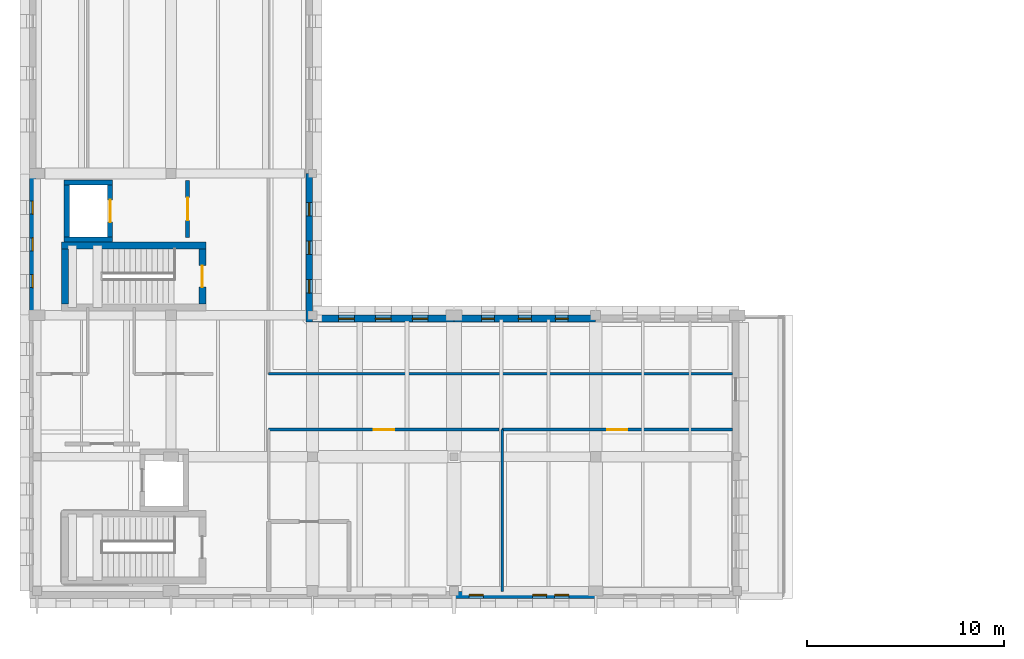
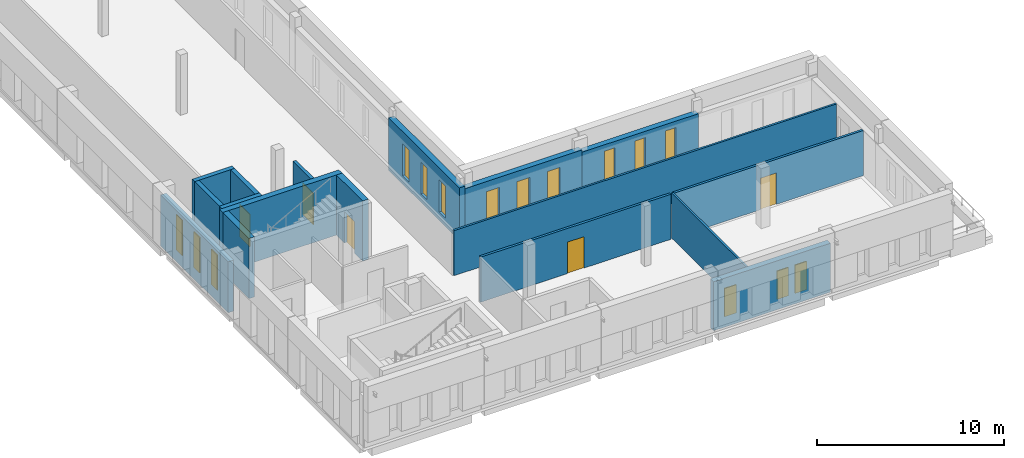
# One storey, part 20 of 34: 17 walls, 15 windows, 5 doors, 20 openings.
"""IFC4 building model written with IfcOpenShell, lengths in metres."""

from ifc_helpers import new_model, si_unit, direction, frame, frame_2d, origin, place, context, subcontext, project, spatial, rectangle, extrude, material, layer, layer_set, type_object, element, fill, save


model = new_model("IFC4")

# Units and contexts
model_context = context("Model", 3, precision=1e-05, world=origin(), true_north=direction((0.0, 1.0)))
body_context = subcontext(model_context, "Body", "Model", "MODEL_VIEW")
ifc_project = project(units=[si_unit("LENGTHUNIT", "METRE"), si_unit("AREAUNIT", "SQUARE_METRE"), si_unit("VOLUMEUNIT", "CUBIC_METRE"), si_unit("PLANEANGLEUNIT", "RADIAN"), si_unit("MASSUNIT", "GRAM", prefix="KILO")], contexts=[model_context])

# Site, building, storey
site_placement = place(None, origin())
site = spatial("IfcSite", under=ifc_project, at=site_placement, CompositionType="ELEMENT")
building_placement = place(site_placement, origin())
building = spatial("IfcBuilding", under=site, at=building_placement, Name="Vardoun Plaza Health Centre", CompositionType="ELEMENT")
storey_placement = place(building_placement, frame((0.0, 0.0, 12.89990234375)))
storey = spatial("IfcBuildingStorey", under=building, at=storey_placement, Name="L03", CompositionType="ELEMENT", Elevation=12.89990234375)

# Walls
ifc_material_1 = material(Name="Concrete C40/50", Category="concrete")
ifc_layer_1 = layer(ifc_material_1, 0.27001953125)
ifc_layer_set_1 = layer_set([ifc_layer_1], Name="Concrete C40/50")
wall_type_1 = type_object("IfcWallType", Name="SW-03", PredefinedType="SHEAR", material=ifc_layer_set_1)
wall_1_placement = place(storey_placement, frame((8.735107421875, 22.75, 0.0), z_axis=(0.0, 0.0, 1.0), x_axis=(-1.0, 0.0, 0.0)))
element("IfcWall", 1, at=wall_1_placement, inside=storey, type_object=wall_type_1, Name="Lift LF-02 L03 Shaft Wall S", PredefinedType="SHEAR", context=body_context, shape_type="SweptSolid", body=[
    extrude(rectangle(XDim=2.47021484375, YDim=0.27001953125, at=frame_2d((1.235107421875, 0.0))), origin(), (0.0, 0.0, 1.0), 3.920166015625),
])
wall_2_placement = place(storey_placement, frame((6.39990234375, 22.885009765625, 0.0), z_axis=(0.0, 0.0, 1.0), x_axis=(0.0, 1.0, 0.0)))
element("IfcWall", 2, at=wall_2_placement, inside=storey, type_object=wall_type_1, Name="Lift LF-02 L03 Shaft Wall W", PredefinedType="SHEAR", context=body_context, shape_type="SweptSolid", body=[
    extrude(rectangle(XDim=2.6298828125, YDim=0.27001953125, at=frame_2d((1.31494140625, 0.0))), origin(), (0.0, 0.0, 1.0), 3.920166015625),
])
wall_3_placement = place(storey_placement, frame((6.264892578125, 25.64990234375, 0.0), z_axis=(0.0, 0.0, 1.0), x_axis=(1.0, 0.0, 0.0)))
element("IfcWall", 3, at=wall_3_placement, inside=storey, type_object=wall_type_1, Name="Lift LF-02 L03 Shaft Wall N", PredefinedType="SHEAR", context=body_context, shape_type="SweptSolid", body=[
    extrude(rectangle(XDim=2.47021484375, YDim=0.27001953125, at=frame_2d((1.235107421875, 0.0))), origin(), (0.0, 0.0, 1.0), 3.920166015625),
])

# Wall, opening, door
wall_4_placement = place(storey_placement, frame((8.60009765625, 25.514892578125, 0.0), z_axis=(0.0, 0.0, 1.0), x_axis=(0.0, -1.0, 0.0)))
wall_4 = element("IfcWall", 4, at=wall_4_placement, inside=storey, type_object=wall_type_1, Name="Lift LF-02 L03 Shaft Wall E", PredefinedType="SHEAR", context=body_context, shape_type="SweptSolid", body=[
    extrude(rectangle(XDim=2.6298828125, YDim=0.27001953125, at=frame_2d((1.31494140625, 0.0))), origin(), (0.0, 0.0, 1.0), 3.920166015625),
])
opening_1_placement = place(wall_4_placement, frame((0.7548828125, 0.0, 0.0)))
opening_1 = element("IfcOpeningElement", 5, at=opening_1_placement, cuts=wall_4, Name="Opening LD-LF-02-L03", PredefinedType="OPENING", context=body_context, shape_type="SweptSolid", body=[
    extrude(rectangle(XDim=1.1201171875, YDim=2.10009765625, at=frame_2d((0.56005859375, 1.050048828125))), frame((0.0, 0.135009765625, 0.0), z_axis=(0.0, -1.0, 0.0), x_axis=(1.0, 0.0, 0.0)), (0.0, 0.0, 1.0), 0.27001953125),
])
ifc_material_2 = material(Name="Brushed Stainless Steel Grade 316L", Category="steel")
door_type_1 = type_object("IfcDoorType", Name="LD-01", OperationType="DOUBLE_DOOR_SLIDING", PredefinedType="DOOR", material=ifc_material_2)
door_1_placement = place(opening_1_placement, origin())
door_1 = element("IfcDoor", 6, at=door_1_placement, inside=storey, type_object=door_type_1, Name="Lift LF-02 L03 Sliding Landing Door", OperationType="DOUBLE_DOOR_SLIDING", OverallHeight=2.10009765625, OverallWidth=1.1201171875, PredefinedType="DOOR", context=body_context, shape_type="SweptSolid", body=[
    extrude(rectangle(XDim=1.1201171875, YDim=2.10009765625, at=frame_2d((0.56005859375, 1.050048828125))), frame((0.0, 0.02490234375, 0.0), z_axis=(0.0, -1.0, 0.0), x_axis=(1.0, 0.0, 0.0)), (0.0, 0.0, 1.0), 0.050048828125),
])
fill(opening_1, door_1)

# Walls
ifc_material_3 = material(Name="Concrete C40/50", Category="concrete")
ifc_layer_2 = layer(ifc_material_3, 0.35009765625)
ifc_layer_set_2 = layer_set([ifc_layer_2], Name="Concrete C40/50")
wall_type_2 = type_object("IfcWallType", Name="SW-02", PredefinedType="SHEAR", material=ifc_layer_set_2)
wall_5_placement = place(storey_placement, frame((6.300048828125, 19.47509765625, 0.0), z_axis=(0.0, 0.0, 1.0), x_axis=(0.0, 1.0, 0.0)))
element("IfcWall", 7, at=wall_5_placement, inside=storey, type_object=wall_type_2, Name="Core C2 L03 Shear Wall W", PredefinedType="SHEAR", context=body_context, shape_type="SweptSolid", body=[
    extrude(rectangle(XDim=2.7998046875, YDim=0.35009765625, at=frame_2d((1.39990234375, 0.0))), origin(), (0.0, 0.0, 1.0), 3.920166015625),
])
wall_6_placement = place(storey_placement, frame((6.125, 22.449951171875, 0.0), z_axis=(0.0, 0.0, 1.0), x_axis=(1.0, 0.0, 0.0)))
element("IfcWall", 8, at=wall_6_placement, inside=storey, type_object=wall_type_2, Name="Core C2 L03 Shear Wall N", PredefinedType="SHEAR", context=body_context, shape_type="SweptSolid", body=[
    extrude(rectangle(XDim=7.35009765625, YDim=0.35009765625, at=frame_2d((3.675048828125, 0.0))), origin(), (0.0, 0.0, 1.0), 3.920166015625),
])

# Wall, opening, door
wall_7_placement = place(storey_placement, frame((13.300048828125, 22.27490234375, 0.0), z_axis=(0.0, 0.0, 1.0), x_axis=(0.0, -1.0, 0.0)))
wall_7 = element("IfcWall", 9, at=wall_7_placement, inside=storey, type_object=wall_type_2, Name="Core C2 L03 Shear Wall E", PredefinedType="SHEAR", context=body_context, shape_type="SweptSolid", body=[
    extrude(rectangle(XDim=2.7998046875, YDim=0.35009765625, at=frame_2d((1.39990234375, 0.0))), origin(), (0.0, 0.0, 1.0), 3.920166015625),
])
opening_2_placement = place(wall_7_placement, frame((0.85009765625, 0.0, 0.0)))
opening_2 = element("IfcOpeningElement", 10, at=opening_2_placement, cuts=wall_7, Name="Opening SD-C2-L03", PredefinedType="OPENING", context=body_context, shape_type="SweptSolid", body=[
    extrude(rectangle(XDim=1.10009765625, YDim=2.050048828125, at=frame_2d((0.550048828125, 1.02490234375))), frame((0.0, 0.175048828125, 0.0), z_axis=(0.0, -1.0, 0.0), x_axis=(1.0, 0.0, 0.0)), (0.0, 0.0, 1.0), 0.35009765625),
])
ifc_material_4 = material(Name="Brushed Stainless Steel Grade 316L", Category="steel")
door_type_2 = type_object("IfcDoorType", Name="FD-01", OperationType="NOTDEFINED", PredefinedType="DOOR", material=ifc_material_4)
door_2_placement = place(opening_2_placement, origin())
door_2 = element("IfcDoor", 11, at=door_2_placement, inside=storey, type_object=door_type_2, Name="Stair C2 L03 Fire Door", OperationType="SINGLE_SWING_LEFT", OverallHeight=2.050048828125, OverallWidth=1.10009765625, PredefinedType="DOOR", context=body_context, shape_type="SweptSolid", body=[
    extrude(rectangle(XDim=1.10009765625, YDim=2.050048828125, at=frame_2d((0.550048828125, 1.02490234375))), frame((0.0, 0.02490234375, 0.0), z_axis=(0.0, -1.0, 0.0), x_axis=(1.0, 0.0, 0.0)), (0.0, 0.0, 1.0), 0.050048828125),
])
fill(opening_2, door_2)

# Wall, openings, windows
ifc_material_5 = material(Name="Pale Limestone Concrete C35/45", Category="masonry")
ifc_layer_3 = layer(ifc_material_5, 0.344970703125)
ifc_layer_set_3 = layer_set([ifc_layer_3], Name="Pale Limestone Concrete C35/45")
wall_type_3 = type_object("IfcWallType", Name="EW-01", PredefinedType="SOLIDWALL", material=ifc_layer_set_3)
wall_8_placement = place(storey_placement, frame((18.7275390625, 26.10009765625, 0.0), z_axis=(0.0, 0.0, 1.0), x_axis=(0.0, -1.0, 0.0)))
wall_8 = element("IfcWall", 12, at=wall_8_placement, inside=storey, type_object=wall_type_3, Name="V2 L03 Exterior Wall EW-V2-160", PredefinedType="SOLIDWALL", context=body_context, shape_type="SweptSolid", body=[
    extrude(rectangle(XDim=7.545166015625, YDim=0.344970703125, at=frame_2d((3.7724609375, 0.0))), origin(), (0.0, 0.0, 1.0), 3.425048828125),
])
opening_3_placement = place(wall_8_placement, frame((1.470703125, 0.0, 0.550048828125)))
opening_3 = element("IfcOpeningElement", 13, at=opening_3_placement, cuts=wall_8, Name="Opening W-22-002", PredefinedType="OPENING", context=body_context, shape_type="SweptSolid", body=[
    extrude(rectangle(XDim=0.679931640625, YDim=2.080078125, at=frame_2d((0.33984375, 1.0400390625))), frame((0.0, 0.17236328125, 0.0), z_axis=(0.0, -1.0, 0.0), x_axis=(1.0, 0.0, 0.0)), (0.0, 0.0, 1.0), 0.344970703125),
])
opening_4_placement = place(wall_8_placement, frame((3.4326171875, 0.0, 0.550048828125)))
opening_4 = element("IfcOpeningElement", 14, at=opening_4_placement, cuts=wall_8, Name="Opening W-22-003", PredefinedType="OPENING", context=body_context, shape_type="SweptSolid", body=[
    extrude(rectangle(XDim=0.679931640625, YDim=2.080078125, at=frame_2d((0.33984375, 1.0400390625))), frame((0.0, 0.17236328125, 0.0), z_axis=(0.0, -1.0, 0.0), x_axis=(1.0, 0.0, 0.0)), (0.0, 0.0, 1.0), 0.344970703125),
])
opening_5_placement = place(wall_8_placement, frame((5.394287109375, 0.0, 0.550048828125)))
opening_5 = element("IfcOpeningElement", 15, at=opening_5_placement, cuts=wall_8, Name="Opening W-22-004", PredefinedType="OPENING", context=body_context, shape_type="SweptSolid", body=[
    extrude(rectangle(XDim=0.679931640625, YDim=2.080078125, at=frame_2d((0.33984375, 1.0400390625))), frame((0.0, 0.17236328125, 0.0), z_axis=(0.0, -1.0, 0.0), x_axis=(1.0, 0.0, 0.0)), (0.0, 0.0, 1.0), 0.344970703125),
])
ifc_material_6 = material(Name="Aluminium Alloy EN AW-6063-T6 and Low-E Glass", Category="aluminium")
window_type_1 = type_object("IfcWindowType", Name="W-22", PartitioningType="SINGLE_PANEL", PredefinedType="WINDOW", material=ifc_material_6)
window_1_placement = place(opening_3_placement, origin())
window_1 = element("IfcWindow", 16, at=window_1_placement, inside=storey, type_object=window_type_1, Name="V2 L03 Deep-Punched Slot Window W-22-191", OverallHeight=2.080078125, OverallWidth=0.679931640625, PartitioningType="SINGLE_PANEL", PredefinedType="WINDOW", context=body_context, shape_type="SweptSolid", body=[
    extrude(rectangle(XDim=0.679931640625, YDim=2.080078125, at=frame_2d((0.33984375, 1.0400390625))), frame((0.0, 0.030029296875, 0.0), z_axis=(0.0, -1.0, 0.0), x_axis=(1.0, 0.0, 0.0)), (0.0, 0.0, 1.0), 0.06005859375),
])
fill(opening_3, window_1)
window_2_placement = place(opening_4_placement, origin())
window_2 = element("IfcWindow", 17, at=window_2_placement, inside=storey, type_object=window_type_1, Name="V2 L03 Deep-Punched Slot Window W-22-192", OverallHeight=2.080078125, OverallWidth=0.679931640625, PartitioningType="SINGLE_PANEL", PredefinedType="WINDOW", context=body_context, shape_type="SweptSolid", body=[
    extrude(rectangle(XDim=0.679931640625, YDim=2.080078125, at=frame_2d((0.33984375, 1.0400390625))), frame((0.0, 0.030029296875, 0.0), z_axis=(0.0, -1.0, 0.0), x_axis=(1.0, 0.0, 0.0)), (0.0, 0.0, 1.0), 0.06005859375),
])
fill(opening_4, window_2)
window_3_placement = place(opening_5_placement, origin())
window_3 = element("IfcWindow", 18, at=window_3_placement, inside=storey, type_object=window_type_1, Name="V2 L03 Deep-Punched Slot Window W-22-193", OverallHeight=2.080078125, OverallWidth=0.679931640625, PartitioningType="SINGLE_PANEL", PredefinedType="WINDOW", context=body_context, shape_type="SweptSolid", body=[
    extrude(rectangle(XDim=0.679931640625, YDim=2.080078125, at=frame_2d((0.33984375, 1.0400390625))), frame((0.0, 0.030029296875, 0.0), z_axis=(0.0, -1.0, 0.0), x_axis=(1.0, 0.0, 0.0)), (0.0, 0.0, 1.0), 0.06005859375),
])
fill(opening_5, window_3)

wall_9_placement = place(storey_placement, frame((18.89990234375, 18.7275390625, 0.0), z_axis=(0.0, 0.0, 1.0), x_axis=(1.0, 0.0, 0.0)))
wall_9 = element("IfcWall", 19, at=wall_9_placement, inside=storey, type_object=wall_type_3, Name="V2 L03 Exterior Wall EW-V2-161", PredefinedType="SOLIDWALL", context=body_context, shape_type="SweptSolid", body=[
    extrude(rectangle(XDim=7.2001953125, YDim=0.344970703125, at=frame_2d((3.60009765625, 0.0))), origin(), (0.0, 0.0, 1.0), 3.255126953125),
])
opening_6_placement = place(wall_9_placement, frame((1.327880859375, 0.0, 0.550048828125)))
opening_6 = element("IfcOpeningElement", 20, at=opening_6_placement, cuts=wall_9, Name="Opening W-24-001", PredefinedType="OPENING", context=body_context, shape_type="SweptSolid", body=[
    extrude(rectangle(XDim=0.800048828125, YDim=2.0400390625, at=frame_2d((0.39990234375, 1.02001953125))), frame((0.0, 0.17236328125, 0.0), z_axis=(0.0, -1.0, 0.0), x_axis=(1.0, 0.0, 0.0)), (0.0, 0.0, 1.0), 0.344970703125),
])
opening_7_placement = place(wall_9_placement, frame((3.199951171875, 0.0, 0.550048828125)))
opening_7 = element("IfcOpeningElement", 21, at=opening_7_placement, cuts=wall_9, Name="Opening W-24-002", PredefinedType="OPENING", context=body_context, shape_type="SweptSolid", body=[
    extrude(rectangle(XDim=0.800048828125, YDim=2.0400390625, at=frame_2d((0.39990234375, 1.02001953125))), frame((0.0, 0.17236328125, 0.0), z_axis=(0.0, -1.0, 0.0), x_axis=(1.0, 0.0, 0.0)), (0.0, 0.0, 1.0), 0.344970703125),
])
opening_8_placement = place(wall_9_placement, frame((5.072021484375, 0.0, 0.550048828125)))
opening_8 = element("IfcOpeningElement", 22, at=opening_8_placement, cuts=wall_9, Name="Opening W-24-003", PredefinedType="OPENING", context=body_context, shape_type="SweptSolid", body=[
    extrude(rectangle(XDim=0.800048828125, YDim=2.0400390625, at=frame_2d((0.39990234375, 1.02001953125))), frame((0.0, 0.17236328125, 0.0), z_axis=(0.0, -1.0, 0.0), x_axis=(1.0, 0.0, 0.0)), (0.0, 0.0, 1.0), 0.344970703125),
])
ifc_material_7 = material(Name="Aluminium Alloy EN AW-6063-T6 and Low-E Glass", Category="aluminium")
window_type_2 = type_object("IfcWindowType", Name="W-24", PartitioningType="SINGLE_PANEL", PredefinedType="WINDOW", material=ifc_material_7)
window_4_placement = place(opening_6_placement, origin())
window_4 = element("IfcWindow", 23, at=window_4_placement, inside=storey, type_object=window_type_2, Name="V2 L03 Deep-Punched Slot Window W-24-194", OverallHeight=2.0400390625, OverallWidth=0.800048828125, PartitioningType="SINGLE_PANEL", PredefinedType="WINDOW", context=body_context, shape_type="SweptSolid", body=[
    extrude(rectangle(XDim=0.800048828125, YDim=2.0400390625, at=frame_2d((0.39990234375, 1.02001953125))), frame((0.0, 0.030029296875, 0.0), z_axis=(0.0, -1.0, 0.0), x_axis=(1.0, 0.0, 0.0)), (0.0, 0.0, 1.0), 0.06005859375),
])
fill(opening_6, window_4)
window_5_placement = place(opening_7_placement, origin())
window_5 = element("IfcWindow", 24, at=window_5_placement, inside=storey, type_object=window_type_2, Name="V2 L03 Deep-Punched Slot Window W-24-195", OverallHeight=2.0400390625, OverallWidth=0.800048828125, PartitioningType="SINGLE_PANEL", PredefinedType="WINDOW", context=body_context, shape_type="SweptSolid", body=[
    extrude(rectangle(XDim=0.800048828125, YDim=2.0400390625, at=frame_2d((0.39990234375, 1.02001953125))), frame((0.0, 0.030029296875, 0.0), z_axis=(0.0, -1.0, 0.0), x_axis=(1.0, 0.0, 0.0)), (0.0, 0.0, 1.0), 0.06005859375),
])
fill(opening_7, window_5)
window_6_placement = place(opening_8_placement, origin())
window_6 = element("IfcWindow", 25, at=window_6_placement, inside=storey, type_object=window_type_2, Name="V2 L03 Deep-Punched Slot Window W-24-196", OverallHeight=2.0400390625, OverallWidth=0.800048828125, PartitioningType="SINGLE_PANEL", PredefinedType="WINDOW", context=body_context, shape_type="SweptSolid", body=[
    extrude(rectangle(XDim=0.800048828125, YDim=2.0400390625, at=frame_2d((0.39990234375, 1.02001953125))), frame((0.0, 0.030029296875, 0.0), z_axis=(0.0, -1.0, 0.0), x_axis=(1.0, 0.0, 0.0)), (0.0, 0.0, 1.0), 0.06005859375),
])
fill(opening_8, window_6)

wall_10_placement = place(storey_placement, frame((26.10009765625, 18.7275390625, 0.0), z_axis=(0.0, 0.0, 1.0), x_axis=(1.0, 0.0, 0.0)))
wall_10 = element("IfcWall", 26, at=wall_10_placement, inside=storey, type_object=wall_type_3, Name="V2 L03 Exterior Wall EW-V2-162", PredefinedType="SOLIDWALL", context=body_context, shape_type="SweptSolid", body=[
    extrude(rectangle(XDim=7.199951171875, YDim=0.344970703125, at=frame_2d((3.60009765625, 0.0))), origin(), (0.0, 0.0, 1.0), 3.10498046875),
])
opening_9_placement = place(wall_10_placement, frame((1.403076171875, 0.0, 0.550048828125)))
opening_9 = element("IfcOpeningElement", 27, at=opening_9_placement, cuts=wall_10, Name="Opening W-31-004", PredefinedType="OPENING", context=body_context, shape_type="SweptSolid", body=[
    extrude(rectangle(XDim=0.64990234375, YDim=2.139892578125, at=frame_2d((0.324951171875, 1.06982421875))), frame((0.0, 0.17236328125, 0.0), z_axis=(0.0, -1.0, 0.0), x_axis=(1.0, 0.0, 0.0)), (0.0, 0.0, 1.0), 0.344970703125),
])
opening_10_placement = place(wall_10_placement, frame((3.27490234375, 0.0, 0.550048828125)))
opening_10 = element("IfcOpeningElement", 28, at=opening_10_placement, cuts=wall_10, Name="Opening W-31-005", PredefinedType="OPENING", context=body_context, shape_type="SweptSolid", body=[
    extrude(rectangle(XDim=0.64990234375, YDim=2.139892578125, at=frame_2d((0.324951171875, 1.06982421875))), frame((0.0, 0.17236328125, 0.0), z_axis=(0.0, -1.0, 0.0), x_axis=(1.0, 0.0, 0.0)), (0.0, 0.0, 1.0), 0.344970703125),
])
opening_11_placement = place(wall_10_placement, frame((5.14697265625, 0.0, 0.550048828125)))
opening_11 = element("IfcOpeningElement", 29, at=opening_11_placement, cuts=wall_10, Name="Opening W-31-006", PredefinedType="OPENING", context=body_context, shape_type="SweptSolid", body=[
    extrude(rectangle(XDim=0.64990234375, YDim=2.139892578125, at=frame_2d((0.324951171875, 1.06982421875))), frame((0.0, 0.17236328125, 0.0), z_axis=(0.0, -1.0, 0.0), x_axis=(1.0, 0.0, 0.0)), (0.0, 0.0, 1.0), 0.344970703125),
])
ifc_material_8 = material(Name="Aluminium Alloy EN AW-6063-T6 and Low-E Glass", Category="aluminium")
window_type_3 = type_object("IfcWindowType", Name="W-31", PartitioningType="SINGLE_PANEL", PredefinedType="WINDOW", material=ifc_material_8)
window_7_placement = place(opening_9_placement, origin())
window_7 = element("IfcWindow", 30, at=window_7_placement, inside=storey, type_object=window_type_3, Name="V2 L03 Deep-Punched Slot Window W-31-197", OverallHeight=2.139892578125, OverallWidth=0.64990234375, PartitioningType="SINGLE_PANEL", PredefinedType="WINDOW", context=body_context, shape_type="SweptSolid", body=[
    extrude(rectangle(XDim=0.64990234375, YDim=2.139892578125, at=frame_2d((0.324951171875, 1.06982421875))), frame((0.0, 0.030029296875, 0.0), z_axis=(0.0, -1.0, 0.0), x_axis=(1.0, 0.0, 0.0)), (0.0, 0.0, 1.0), 0.06005859375),
])
fill(opening_9, window_7)
window_8_placement = place(opening_10_placement, origin())
window_8 = element("IfcWindow", 31, at=window_8_placement, inside=storey, type_object=window_type_3, Name="V2 L03 Deep-Punched Slot Window W-31-198", OverallHeight=2.139892578125, OverallWidth=0.64990234375, PartitioningType="SINGLE_PANEL", PredefinedType="WINDOW", context=body_context, shape_type="SweptSolid", body=[
    extrude(rectangle(XDim=0.64990234375, YDim=2.139892578125, at=frame_2d((0.324951171875, 1.06982421875))), frame((0.0, 0.030029296875, 0.0), z_axis=(0.0, -1.0, 0.0), x_axis=(1.0, 0.0, 0.0)), (0.0, 0.0, 1.0), 0.06005859375),
])
fill(opening_10, window_8)
window_9_placement = place(opening_11_placement, origin())
window_9 = element("IfcWindow", 32, at=window_9_placement, inside=storey, type_object=window_type_3, Name="V2 L03 Deep-Punched Slot Window W-31-199", OverallHeight=2.139892578125, OverallWidth=0.64990234375, PartitioningType="SINGLE_PANEL", PredefinedType="WINDOW", context=body_context, shape_type="SweptSolid", body=[
    extrude(rectangle(XDim=0.64990234375, YDim=2.139892578125, at=frame_2d((0.324951171875, 1.06982421875))), frame((0.0, 0.030029296875, 0.0), z_axis=(0.0, -1.0, 0.0), x_axis=(1.0, 0.0, 0.0)), (0.0, 0.0, 1.0), 0.06005859375),
])
fill(opening_11, window_9)

wall_11_placement = place(storey_placement, frame((33.300048828125, 4.672607421875, 0.0), z_axis=(0.0, 0.0, 1.0), x_axis=(-1.0, 0.0, 0.0)))
wall_11 = element("IfcWall", 33, at=wall_11_placement, inside=storey, type_object=wall_type_3, Name="V2 L03 Exterior Wall EW-V2-167", PredefinedType="SOLIDWALL", context=body_context, shape_type="SweptSolid", body=[
    extrude(rectangle(XDim=7.199951171875, YDim=0.344970703125, at=frame_2d((3.60009765625, 0.0))), origin(), (0.0, 0.0, 1.0), 3.18505859375),
])
opening_12_placement = place(wall_11_placement, frame((1.367919921875, 0.0, 0.550048828125)))
opening_12 = element("IfcOpeningElement", 34, at=opening_12_placement, cuts=wall_11, Name="Opening W-26-004", PredefinedType="OPENING", context=body_context, shape_type="SweptSolid", body=[
    extrude(rectangle(XDim=0.719970703125, YDim=1.85009765625, at=frame_2d((0.35986328125, 0.925048828125))), frame((0.0, 0.17236328125, 0.0), z_axis=(0.0, -1.0, 0.0), x_axis=(1.0, 0.0, 0.0)), (0.0, 0.0, 1.0), 0.344970703125),
])
opening_13_placement = place(wall_11_placement, frame((2.489990234375, 0.0, 0.550048828125)))
opening_13 = element("IfcOpeningElement", 35, at=opening_13_placement, cuts=wall_11, Name="Opening W-26-005", PredefinedType="OPENING", context=body_context, shape_type="SweptSolid", body=[
    extrude(rectangle(XDim=0.719970703125, YDim=1.85009765625, at=frame_2d((0.35986328125, 0.925048828125))), frame((0.0, 0.17236328125, 0.0), z_axis=(0.0, -1.0, 0.0), x_axis=(1.0, 0.0, 0.0)), (0.0, 0.0, 1.0), 0.344970703125),
])
opening_14_placement = place(wall_11_placement, frame((5.7119140625, 0.0, 0.550048828125)))
opening_14 = element("IfcOpeningElement", 36, at=opening_14_placement, cuts=wall_11, Name="Opening W-26-006", PredefinedType="OPENING", context=body_context, shape_type="SweptSolid", body=[
    extrude(rectangle(XDim=0.719970703125, YDim=1.85009765625, at=frame_2d((0.35986328125, 0.925048828125))), frame((0.0, 0.17236328125, 0.0), z_axis=(0.0, -1.0, 0.0), x_axis=(1.0, 0.0, 0.0)), (0.0, 0.0, 1.0), 0.344970703125),
])
ifc_material_9 = material(Name="Aluminium Alloy EN AW-6063-T6 and Low-E Glass", Category="aluminium")
window_type_4 = type_object("IfcWindowType", Name="W-26", PartitioningType="SINGLE_PANEL", PredefinedType="WINDOW", material=ifc_material_9)
window_10_placement = place(opening_12_placement, origin())
window_10 = element("IfcWindow", 37, at=window_10_placement, inside=storey, type_object=window_type_4, Name="V2 L03 Deep-Punched Slot Window W-26-209", OverallHeight=1.85009765625, OverallWidth=0.719970703125, PartitioningType="SINGLE_PANEL", PredefinedType="WINDOW", context=body_context, shape_type="SweptSolid", body=[
    extrude(rectangle(XDim=0.719970703125, YDim=1.85009765625, at=frame_2d((0.35986328125, 0.925048828125))), frame((0.0, 0.030029296875, 0.0), z_axis=(0.0, -1.0, 0.0), x_axis=(1.0, 0.0, 0.0)), (0.0, 0.0, 1.0), 0.06005859375),
])
fill(opening_12, window_10)
window_11_placement = place(opening_13_placement, origin())
window_11 = element("IfcWindow", 38, at=window_11_placement, inside=storey, type_object=window_type_4, Name="V2 L03 Deep-Punched Slot Window W-26-210", OverallHeight=1.85009765625, OverallWidth=0.719970703125, PartitioningType="SINGLE_PANEL", PredefinedType="WINDOW", context=body_context, shape_type="SweptSolid", body=[
    extrude(rectangle(XDim=0.719970703125, YDim=1.85009765625, at=frame_2d((0.35986328125, 0.925048828125))), frame((0.0, 0.030029296875, 0.0), z_axis=(0.0, -1.0, 0.0), x_axis=(1.0, 0.0, 0.0)), (0.0, 0.0, 1.0), 0.06005859375),
])
fill(opening_13, window_11)
window_12_placement = place(opening_14_placement, origin())
window_12 = element("IfcWindow", 39, at=window_12_placement, inside=storey, type_object=window_type_4, Name="V2 L03 Deep-Punched Slot Window W-26-211", OverallHeight=1.85009765625, OverallWidth=0.719970703125, PartitioningType="SINGLE_PANEL", PredefinedType="WINDOW", context=body_context, shape_type="SweptSolid", body=[
    extrude(rectangle(XDim=0.719970703125, YDim=1.85009765625, at=frame_2d((0.35986328125, 0.925048828125))), frame((0.0, 0.030029296875, 0.0), z_axis=(0.0, -1.0, 0.0), x_axis=(1.0, 0.0, 0.0)), (0.0, 0.0, 1.0), 0.06005859375),
])
fill(opening_14, window_12)

wall_12_placement = place(storey_placement, frame((4.672607421875, 18.89990234375, 0.0), z_axis=(0.0, 0.0, 1.0), x_axis=(0.0, 1.0, 0.0)))
wall_12 = element("IfcWall", 40, at=wall_12_placement, inside=storey, type_object=wall_type_3, Name="V2 L03 Exterior Wall EW-V2-173", PredefinedType="SOLIDWALL", context=body_context, shape_type="SweptSolid", body=[
    extrude(rectangle(XDim=7.2001953125, YDim=0.344970703125, at=frame_2d((3.60009765625, 0.0))), origin(), (0.0, 0.0, 1.0), 3.3251953125),
])
opening_15_placement = place(wall_12_placement, frame((1.39794921875, 0.0, 0.550048828125)))
opening_15 = element("IfcOpeningElement", 41, at=opening_15_placement, cuts=wall_12, Name="Opening W-03-004", PredefinedType="OPENING", context=body_context, shape_type="SweptSolid", body=[
    extrude(rectangle(XDim=0.659912109375, YDim=2.300048828125, at=frame_2d((0.330078125, 1.14990234375))), frame((0.0, 0.17236328125, 0.0), z_axis=(0.0, -1.0, 0.0), x_axis=(1.0, 0.0, 0.0)), (0.0, 0.0, 1.0), 0.344970703125),
])
opening_16_placement = place(wall_12_placement, frame((3.27001953125, 0.0, 0.550048828125)))
opening_16 = element("IfcOpeningElement", 42, at=opening_16_placement, cuts=wall_12, Name="Opening W-03-005", PredefinedType="OPENING", context=body_context, shape_type="SweptSolid", body=[
    extrude(rectangle(XDim=0.659912109375, YDim=2.300048828125, at=frame_2d((0.330078125, 1.14990234375))), frame((0.0, 0.17236328125, 0.0), z_axis=(0.0, -1.0, 0.0), x_axis=(1.0, 0.0, 0.0)), (0.0, 0.0, 1.0), 0.344970703125),
])
opening_17_placement = place(wall_12_placement, frame((5.14208984375, 0.0, 0.550048828125)))
opening_17 = element("IfcOpeningElement", 43, at=opening_17_placement, cuts=wall_12, Name="Opening W-03-006", PredefinedType="OPENING", context=body_context, shape_type="SweptSolid", body=[
    extrude(rectangle(XDim=0.659912109375, YDim=2.300048828125, at=frame_2d((0.330078125, 1.14990234375))), frame((0.0, 0.17236328125, 0.0), z_axis=(0.0, -1.0, 0.0), x_axis=(1.0, 0.0, 0.0)), (0.0, 0.0, 1.0), 0.344970703125),
])
ifc_material_10 = material(Name="Aluminium Alloy EN AW-6063-T6 and Low-E Glass", Category="aluminium")
window_type_5 = type_object("IfcWindowType", Name="W-03", PartitioningType="SINGLE_PANEL", PredefinedType="WINDOW", material=ifc_material_10)
window_13_placement = place(opening_15_placement, origin())
window_13 = element("IfcWindow", 44, at=window_13_placement, inside=storey, type_object=window_type_5, Name="V2 L03 Deep-Punched Slot Window W-03-227", OverallHeight=2.300048828125, OverallWidth=0.659912109375, PartitioningType="SINGLE_PANEL", PredefinedType="WINDOW", context=body_context, shape_type="SweptSolid", body=[
    extrude(rectangle(XDim=0.659912109375, YDim=2.300048828125, at=frame_2d((0.330078125, 1.14990234375))), frame((0.0, 0.030029296875, 0.0), z_axis=(0.0, -1.0, 0.0), x_axis=(1.0, 0.0, 0.0)), (0.0, 0.0, 1.0), 0.06005859375),
])
fill(opening_15, window_13)
window_14_placement = place(opening_16_placement, origin())
window_14 = element("IfcWindow", 45, at=window_14_placement, inside=storey, type_object=window_type_5, Name="V2 L03 Deep-Punched Slot Window W-03-228", OverallHeight=2.300048828125, OverallWidth=0.659912109375, PartitioningType="SINGLE_PANEL", PredefinedType="WINDOW", context=body_context, shape_type="SweptSolid", body=[
    extrude(rectangle(XDim=0.659912109375, YDim=2.300048828125, at=frame_2d((0.330078125, 1.14990234375))), frame((0.0, 0.030029296875, 0.0), z_axis=(0.0, -1.0, 0.0), x_axis=(1.0, 0.0, 0.0)), (0.0, 0.0, 1.0), 0.06005859375),
])
fill(opening_16, window_14)
window_15_placement = place(opening_17_placement, origin())
window_15 = element("IfcWindow", 46, at=window_15_placement, inside=storey, type_object=window_type_5, Name="V2 L03 Deep-Punched Slot Window W-03-229", OverallHeight=2.300048828125, OverallWidth=0.659912109375, PartitioningType="SINGLE_PANEL", PredefinedType="WINDOW", context=body_context, shape_type="SweptSolid", body=[
    extrude(rectangle(XDim=0.659912109375, YDim=2.300048828125, at=frame_2d((0.330078125, 1.14990234375))), frame((0.0, 0.030029296875, 0.0), z_axis=(0.0, -1.0, 0.0), x_axis=(1.0, 0.0, 0.0)), (0.0, 0.0, 1.0), 0.06005859375),
])
fill(opening_17, window_15)

# Wall, opening, door
ifc_material_11 = material(Name="Acoustic Gypsum Twin-Stud", Category="steel")
ifc_layer_4 = layer(ifc_material_11, 0.14990234375)
ifc_layer_set_4 = layer_set([ifc_layer_4], Name="Acoustic Gypsum Twin-Stud")
wall_type_4 = type_object("IfcWallType", Name="IW-04", PredefinedType="PARTITIONING", material=ifc_layer_set_4)
wall_13_placement = place(storey_placement, frame((28.5400390625, 13.080078125, 0.0), z_axis=(0.0, 0.0, 1.0), x_axis=(1.0, 0.0, 0.0)))
wall_13 = element("IfcWall", 47, at=wall_13_placement, inside=storey, type_object=wall_type_4, Name="ENT Examination Room Partition Wall", PredefinedType="PARTITIONING", context=body_context, shape_type="SweptSolid", body=[
    extrude(rectangle(XDim=11.7099609375, YDim=0.14990234375, at=frame_2d((5.85498046875, 0.0))), origin(), (0.0, 0.0, 1.0), 2.940185546875),
])
opening_18_placement = place(wall_13_placement, frame((5.35498046875, 0.0, 0.0)))
opening_18 = element("IfcOpeningElement", 48, at=opening_18_placement, cuts=wall_13, Name="Opening D-L03-055", PredefinedType="OPENING", context=body_context, shape_type="SweptSolid", body=[
    extrude(rectangle(XDim=1.0, YDim=2.050048828125, at=frame_2d((0.5, 1.02490234375))), frame((0.0, 0.074951171875, 0.0), z_axis=(0.0, -1.0, 0.0), x_axis=(1.0, 0.0, 0.0)), (0.0, 0.0, 1.0), 0.14990234375),
])
ifc_material_12 = material(Name="Antimicrobial Acoustic Timber and Steel S275JR", Category="steel")
door_type_3 = type_object("IfcDoorType", Name="CD-03", OperationType="NOTDEFINED", PredefinedType="DOOR", material=ifc_material_12)
door_3_placement = place(opening_18_placement, origin())
door_3 = element("IfcDoor", 49, at=door_3_placement, inside=storey, type_object=door_type_3, Name="ENT Examination Room Door D-L03-055", OperationType="SINGLE_SWING_RIGHT", OverallHeight=2.050048828125, OverallWidth=1.0, PredefinedType="DOOR", context=body_context, shape_type="SweptSolid", body=[
    extrude(rectangle(XDim=1.0, YDim=2.050048828125, at=frame_2d((0.5, 1.02490234375))), frame((0.0, 0.02490234375, 0.0), z_axis=(0.0, -1.0, 0.0), x_axis=(1.0, 0.0, 0.0)), (0.0, 0.0, 1.0), 0.050048828125),
])
fill(opening_18, door_3)

wall_14_placement = place(storey_placement, frame((16.669921875, 13.080078125, 0.0), z_axis=(0.0, 0.0, 1.0), x_axis=(1.0, 0.0, 0.0)))
wall_14 = element("IfcWall", 50, at=wall_14_placement, inside=storey, type_object=wall_type_4, Name="Terrace Waiting Lounge L03 Partition Wall", PredefinedType="PARTITIONING", context=body_context, shape_type="SweptSolid", body=[
    extrude(rectangle(XDim=11.7099609375, YDim=0.14990234375, at=frame_2d((5.85498046875, 0.0))), origin(), (0.0, 0.0, 1.0), 2.940185546875),
])
opening_19_placement = place(wall_14_placement, frame((5.3349609375, 0.0, 0.0)))
opening_19 = element("IfcOpeningElement", 51, at=opening_19_placement, cuts=wall_14, Name="Opening D-L03-056", PredefinedType="OPENING", context=body_context, shape_type="SweptSolid", body=[
    extrude(rectangle(XDim=1.0400390625, YDim=2.050048828125, at=frame_2d((0.52001953125, 1.02490234375))), frame((0.0, 0.074951171875, 0.0), z_axis=(0.0, -1.0, 0.0), x_axis=(1.0, 0.0, 0.0)), (0.0, 0.0, 1.0), 0.14990234375),
])
ifc_material_13 = material(Name="Antimicrobial Acoustic Timber and Steel S275JR", Category="steel")
door_type_4 = type_object("IfcDoorType", Name="CD-04", OperationType="NOTDEFINED", PredefinedType="DOOR", material=ifc_material_13)
door_4_placement = place(opening_19_placement, origin())
door_4 = element("IfcDoor", 52, at=door_4_placement, inside=storey, type_object=door_type_4, Name="Terrace Waiting Lounge L03 Door D-L03-056", OperationType="SINGLE_SWING_RIGHT", OverallHeight=2.050048828125, OverallWidth=1.0400390625, PredefinedType="DOOR", context=body_context, shape_type="SweptSolid", body=[
    extrude(rectangle(XDim=1.0400390625, YDim=2.050048828125, at=frame_2d((0.52001953125, 1.02490234375))), frame((0.0, 0.02490234375, 0.0), z_axis=(0.0, -1.0, 0.0), x_axis=(1.0, 0.0, 0.0)), (0.0, 0.0, 1.0), 0.050048828125),
])
fill(opening_19, door_4)

# Walls
ifc_material_14 = material(Name="Standard Clinical Sub-Partition", Category="steel")
ifc_layer_5 = layer(ifc_material_14, 0.125)
ifc_layer_set_5 = layer_set([ifc_layer_5], Name="Standard Clinical Sub-Partition")
wall_type_5 = type_object("IfcWallType", Name="IW-11", PredefinedType="PARTITIONING", material=ifc_layer_set_5)
wall_15_placement = place(storey_placement, frame((40.25, 15.919921875, 0.0), z_axis=(0.0, 0.0, 1.0), x_axis=(-1.0, 0.0, 0.0)))
element("IfcWall", 53, at=wall_15_placement, inside=storey, type_object=wall_type_5, Name="Specialist Consulting Room 32 Enclosure Partition", PredefinedType="PARTITIONING", context=body_context, shape_type="SweptSolid", body=[
    extrude(rectangle(XDim=23.580078125, YDim=0.125, at=frame_2d((11.7900390625, 0.0))), origin(), (0.0, 0.0, 1.0), 2.940185546875),
])
wall_16_placement = place(storey_placement, frame((28.5400390625, 4.85009765625, 0.0), z_axis=(0.0, 0.0, 1.0), x_axis=(0.0, 1.0, 0.0)))
element("IfcWall", 54, at=wall_16_placement, inside=storey, type_object=wall_type_5, Name="ENT Examination Room Enclosure Partition", PredefinedType="PARTITIONING", context=body_context, shape_type="SweptSolid", body=[
    extrude(rectangle(XDim=8.22998046875, YDim=0.125, at=frame_2d((4.114990234375, 0.0))), origin(), (0.0, 0.0, 1.0), 2.940185546875),
])

# Wall, opening, door
ifc_material_15 = material(Name="Concrete C35/45", Category="concrete")
ifc_layer_6 = layer(ifc_material_15, 0.199951171875)
ifc_layer_set_6 = layer_set([ifc_layer_6], Name="Concrete C35/45")
wall_type_6 = type_object("IfcWallType", Name="IW-01", PredefinedType="SOLIDWALL", material=ifc_layer_set_6)
wall_17_placement = place(storey_placement, frame((12.550048828125, 25.75, 0.0), z_axis=(0.0, 0.0, 1.0), x_axis=(0.0, -1.0, 0.0)))
wall_17 = element("IfcWall", 55, at=wall_17_placement, inside=storey, type_object=wall_type_6, Name="Firefighting Lobby C2 L03 Wall", PredefinedType="SOLIDWALL", context=body_context, shape_type="SweptSolid", body=[
    extrude(rectangle(XDim=2.89990234375, YDim=0.199951171875, at=frame_2d((1.449951171875, 0.0))), origin(), (0.0, 0.0, 1.0), 2.940185546875),
])
opening_20_placement = place(wall_17_placement, frame((0.875, 0.0, 0.0)))
opening_20 = element("IfcOpeningElement", 56, at=opening_20_placement, cuts=wall_17, Name="Opening FD-FF-C2-L03", PredefinedType="OPENING", context=body_context, shape_type="SweptSolid", body=[
    extrude(rectangle(XDim=1.14990234375, YDim=2.050048828125, at=frame_2d((0.574951171875, 1.02490234375))), frame((0.0, 0.10009765625, 0.0), z_axis=(0.0, -1.0, 0.0), x_axis=(1.0, 0.0, 0.0)), (0.0, 0.0, 1.0), 0.199951171875),
])
ifc_material_16 = material(Name="Antimicrobial Acoustic Timber and Steel S275JR", Category="steel")
door_type_5 = type_object("IfcDoorType", Name="FD-02", OperationType="NOTDEFINED", PredefinedType="DOOR", material=ifc_material_16)
door_5_placement = place(opening_20_placement, origin())
door_5 = element("IfcDoor", 57, at=door_5_placement, inside=storey, type_object=door_type_5, Name="Firefighting Lobby C2 L03 Fire Door", OperationType="SINGLE_SWING_RIGHT", OverallHeight=2.050048828125, OverallWidth=1.14990234375, PredefinedType="DOOR", context=body_context, shape_type="SweptSolid", body=[
    extrude(rectangle(XDim=1.14990234375, YDim=2.050048828125, at=frame_2d((0.574951171875, 1.02490234375))), frame((0.0, 0.02490234375, 0.0), z_axis=(0.0, -1.0, 0.0), x_axis=(1.0, 0.0, 0.0)), (0.0, 0.0, 1.0), 0.050048828125),
])
fill(opening_20, door_5)

save(model, "model.ifc")
